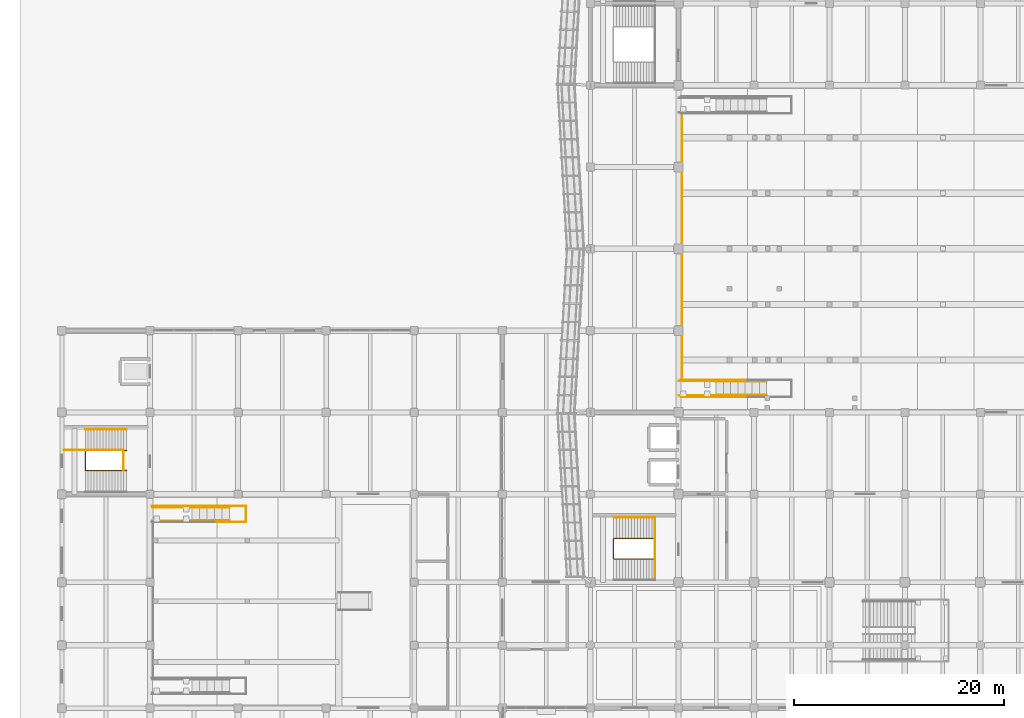
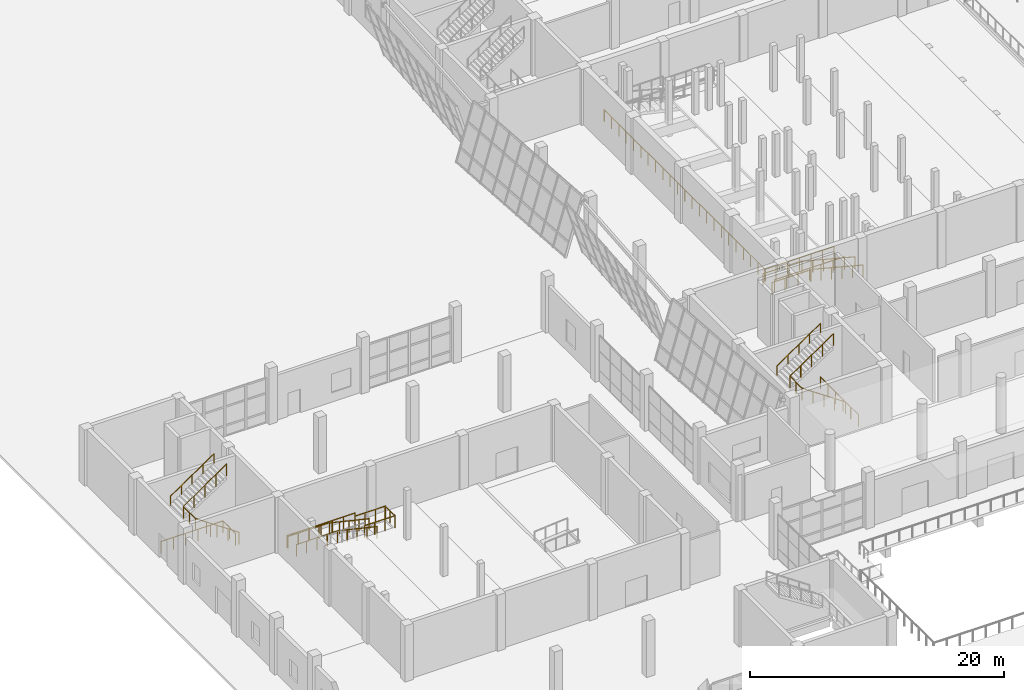
# One storey, part 72 of 78: 17 railings.
"""IFC4 building model written with IfcOpenShell, lengths in metres."""

from ifc_helpers import new_model, si_unit, direction, frame, origin, origin_2d, place, context, subcontext, project, spatial, circle, extrude, material, type_object, element, save


model = new_model("IFC4")

# Units and contexts
model_context = context("Model", 3, precision=1e-05, world=origin(), true_north=direction((0.0, 1.0)))
body_context = subcontext(model_context, "Body", "Model", "MODEL_VIEW")
ifc_project = project(units=[si_unit("LENGTHUNIT", "METRE"), si_unit("AREAUNIT", "SQUARE_METRE"), si_unit("VOLUMEUNIT", "CUBIC_METRE"), si_unit("PLANEANGLEUNIT", "RADIAN"), si_unit("MASSUNIT", "GRAM", prefix="KILO")], contexts=[model_context])

# Site, building, storey
site_placement = place(None, origin())
site = spatial("IfcSite", under=ifc_project, at=site_placement, CompositionType="ELEMENT")
building_placement = place(site_placement, origin())
building = spatial("IfcBuilding", under=site, at=building_placement, Name="Pellamere Symphony Hall", CompositionType="ELEMENT")
storey_placement = place(building_placement, origin())
storey = spatial("IfcBuildingStorey", under=building, at=storey_placement, Name="L00", CompositionType="ELEMENT", Elevation=0.0)

# Railings
ifc_material_1 = material(Name="Architectural Bronze-Anodised Aluminium Balustrade", Category="aluminium")
railing_type_1 = type_object("IfcRailingType", Name="Balustrade BL-02 H1150 Architectural", PredefinedType="BALUSTRADE", material=ifc_material_1)
railing_1_placement = place(storey_placement, frame((59.1201171875, 49.300048828125, 1.5)))
element("IfcRailing", 1, at=railing_1_placement, inside=storey, type_object=railing_type_1, Name="Safety Guardrail BL-M-L00W", PredefinedType="BALUSTRADE", context=body_context, shape_type="SweptSolid", body=[
    extrude(circle(Radius=0.02392578125, at=origin_2d()), frame((0.0, 0.0, 1.1259765625), z_axis=(0.0, 1.0, 0.0), x_axis=(-1.0, 0.0, 0.0)), (0.0, 0.0, 1.0), 25.39990234375),
    extrude(circle(Radius=0.02099609375, at=origin_2d()), origin(), (0.0, 0.0, 1.0), 1.101806640625),
    extrude(circle(Radius=0.02099609375, at=origin_2d()), frame((0.0, 1.154541015625, 0.0)), (0.0, 0.0, 1.0), 1.101806640625),
    extrude(circle(Radius=0.02099609375, at=origin_2d()), frame((0.0, 2.30908203125, 0.0)), (0.0, 0.0, 1.0), 1.101806640625),
    extrude(circle(Radius=0.02099609375, at=origin_2d()), frame((0.0, 3.463623046875, 0.0)), (0.0, 0.0, 1.0), 1.101806640625),
    extrude(circle(Radius=0.02099609375, at=origin_2d()), frame((0.0, 4.6181640625, 0.0)), (0.0, 0.0, 1.0), 1.101806640625),
    extrude(circle(Radius=0.02099609375, at=origin_2d()), frame((0.0, 5.772705078125, 0.0)), (0.0, 0.0, 1.0), 1.101806640625),
    extrude(circle(Radius=0.02099609375, at=origin_2d()), frame((0.0, 6.92724609375, 0.0)), (0.0, 0.0, 1.0), 1.101806640625),
    extrude(circle(Radius=0.02099609375, at=origin_2d()), frame((0.0, 8.081787109375, 0.0)), (0.0, 0.0, 1.0), 1.101806640625),
    extrude(circle(Radius=0.02099609375, at=origin_2d()), frame((0.0, 9.236328125, 0.0)), (0.0, 0.0, 1.0), 1.101806640625),
    extrude(circle(Radius=0.02099609375, at=origin_2d()), frame((0.0, 10.390869140625, 0.0)), (0.0, 0.0, 1.0), 1.101806640625),
    extrude(circle(Radius=0.02099609375, at=origin_2d()), frame((0.0, 11.54541015625, 0.0)), (0.0, 0.0, 1.0), 1.101806640625),
    extrude(circle(Radius=0.02099609375, at=origin_2d()), frame((0.0, 12.699951171875, 0.0)), (0.0, 0.0, 1.0), 1.101806640625),
    extrude(circle(Radius=0.02099609375, at=origin_2d()), frame((0.0, 13.8544921875, 0.0)), (0.0, 0.0, 1.0), 1.101806640625),
    extrude(circle(Radius=0.02099609375, at=origin_2d()), frame((0.0, 15.009033203125, 0.0)), (0.0, 0.0, 1.0), 1.101806640625),
    extrude(circle(Radius=0.02099609375, at=origin_2d()), frame((0.0, 16.16357421875, 0.0)), (0.0, 0.0, 1.0), 1.101806640625),
    extrude(circle(Radius=0.02099609375, at=origin_2d()), frame((0.0, 17.318115234375, 0.0)), (0.0, 0.0, 1.0), 1.101806640625),
    extrude(circle(Radius=0.02099609375, at=origin_2d()), frame((0.0, 18.47265625, 0.0)), (0.0, 0.0, 1.0), 1.101806640625),
    extrude(circle(Radius=0.02099609375, at=origin_2d()), frame((0.0, 19.627197265625, 0.0)), (0.0, 0.0, 1.0), 1.101806640625),
    extrude(circle(Radius=0.02099609375, at=origin_2d()), frame((0.0, 20.78173828125, 0.0)), (0.0, 0.0, 1.0), 1.101806640625),
    extrude(circle(Radius=0.02099609375, at=origin_2d()), frame((0.0, 21.936279296875, 0.0)), (0.0, 0.0, 1.0), 1.101806640625),
    extrude(circle(Radius=0.02099609375, at=origin_2d()), frame((0.0, 23.0908203125, 0.0)), (0.0, 0.0, 1.0), 1.101806640625),
    extrude(circle(Radius=0.02099609375, at=origin_2d()), frame((0.0, 24.245361328125, 0.0)), (0.0, 0.0, 1.0), 1.101806640625),
    extrude(circle(Radius=0.02099609375, at=origin_2d()), frame((0.0, 25.39990234375, 0.0)), (0.0, 0.0, 1.0), 1.101806640625),
])
ifc_material_2 = material(Name="Painted Steel CSA G40.21 350W", Category="steel")
railing_type_2 = type_object("IfcRailingType", Name="Guardrail GR-02 H1150 Painted", PredefinedType="GUARDRAIL", material=ifc_material_2)
railing_2_placement = place(storey_placement, frame((56.574951171875, 32.239990234375, 0.0)))
element("IfcRailing", 2, at=railing_2_placement, inside=storey, type_object=railing_type_2, Name="Stair ST01-L00 Continuous Well Guardrail (L00)", PredefinedType="GUARDRAIL", context=body_context, shape_type="SweptSolid", body=[
    extrude(circle(Radius=0.02392578125, at=origin_2d()), frame((0.0, 0.0, 1.1259765625), z_axis=(-0.825565005729, 0.0, 0.564307027527), x_axis=(0.0, -1.0, 0.0)), (0.0, 0.0, 1.0), 4.784423828125),
    extrude(circle(Radius=0.02392578125, at=origin_2d()), frame((-3.949951171875, 0.0, 3.82568359375), z_axis=(0.0, 1.0, 0.0), x_axis=(-1.0, 0.0, 0.0)), (0.0, 0.0, 1.0), 1.919921875),
    extrude(circle(Radius=0.02392578125, at=origin_2d()), frame((-3.949951171875, 1.919921875, 3.82568359375), z_axis=(0.825565005729, 0.0, 0.564307027527), x_axis=(0.0, 1.0, 0.0)), (0.0, 0.0, 1.0), 4.784423828125),
    extrude(circle(Radius=0.02099609375, at=origin_2d()), origin(), (0.0, 0.0, 1.0), 1.101806640625),
    extrude(circle(Radius=0.02099609375, at=origin_2d()), frame((-0.987548828125, 0.0, 0.675048828125)), (0.0, 0.0, 1.0), 1.101806640625),
    extrude(circle(Radius=0.02099609375, at=origin_2d()), frame((-1.97509765625, 0.0, 1.35009765625)), (0.0, 0.0, 1.0), 1.101806640625),
    extrude(circle(Radius=0.02099609375, at=origin_2d()), frame((-2.96240234375, 0.0, 2.02490234375)), (0.0, 0.0, 1.0), 1.101806640625),
    extrude(circle(Radius=0.02099609375, at=origin_2d()), frame((-3.949951171875, 0.0, 2.699951171875)), (0.0, 0.0, 1.0), 1.101806640625),
    extrude(circle(Radius=0.02099609375, at=origin_2d()), frame((-3.949951171875, 0.9599609375, 2.699951171875)), (0.0, 0.0, 1.0), 1.101806640625),
    extrude(circle(Radius=0.02099609375, at=origin_2d()), frame((-3.949951171875, 1.919921875, 2.699951171875)), (0.0, 0.0, 1.0), 1.101806640625),
    extrude(circle(Radius=0.02099609375, at=origin_2d()), frame((-2.96240234375, 1.919921875, 3.375)), (0.0, 0.0, 1.0), 1.101806640625),
    extrude(circle(Radius=0.02099609375, at=origin_2d()), frame((-1.97509765625, 1.919921875, 4.0498046875)), (0.0, 0.0, 1.0), 1.101806640625),
    extrude(circle(Radius=0.02099609375, at=origin_2d()), frame((-0.987548828125, 1.919921875, 4.724853515625)), (0.0, 0.0, 1.0), 1.101806640625),
    extrude(circle(Radius=0.02099609375, at=origin_2d()), frame((0.0, 1.919921875, 5.39990234375)), (0.0, 0.0, 1.0), 1.101806640625),
])
railing_3_placement = place(storey_placement, frame((56.574951171875, 30.2099609375, 0.0)))
element("IfcRailing", 3, at=railing_3_placement, inside=storey, type_object=railing_type_2, Name="Stair ST01-L00 Landing Well Slot Guard (L00)", PredefinedType="GUARDRAIL", context=body_context, shape_type="SweptSolid", body=[
    extrude(circle(Radius=0.02392578125, at=origin_2d()), frame((0.0, 0.0, 1.1259765625), z_axis=(0.0, 1.0, 0.0), x_axis=(-1.0, 0.0, 0.0)), (0.0, 0.0, 1.0), 5.97998046875),
    extrude(circle(Radius=0.02099609375, at=origin_2d()), origin(), (0.0, 0.0, 1.0), 1.101806640625),
    extrude(circle(Radius=0.02099609375, at=origin_2d()), frame((0.0, 1.196044921875, 0.0)), (0.0, 0.0, 1.0), 1.101806640625),
    extrude(circle(Radius=0.02099609375, at=origin_2d()), frame((0.0, 2.39208984375, 0.0)), (0.0, 0.0, 1.0), 1.101806640625),
    extrude(circle(Radius=0.02099609375, at=origin_2d()), frame((0.0, 3.587890625, 0.0)), (0.0, 0.0, 1.0), 1.101806640625),
    extrude(circle(Radius=0.02099609375, at=origin_2d()), frame((0.0, 4.783935546875, 0.0)), (0.0, 0.0, 1.0), 1.101806640625),
    extrude(circle(Radius=0.02099609375, at=origin_2d()), frame((0.0, 5.97998046875, 0.0)), (0.0, 0.0, 1.0), 1.101806640625),
])
railing_4_placement = place(storey_placement, frame((6.175048828125, 40.639892578125, 0.0)))
element("IfcRailing", 4, at=railing_4_placement, inside=storey, type_object=railing_type_2, Name="Stair ST03-L00 Continuous Well Guardrail (L00)", PredefinedType="GUARDRAIL", context=body_context, shape_type="SweptSolid", body=[
    extrude(circle(Radius=0.02392578125, at=origin_2d()), frame((0.0, 0.0, 1.1259765625), z_axis=(-0.825565005729, 0.0, 0.564307027527), x_axis=(0.0, -1.0, 0.0)), (0.0, 0.0, 1.0), 4.784423828125),
    extrude(circle(Radius=0.02392578125, at=origin_2d()), frame((-3.949951171875, 0.0, 3.82568359375), z_axis=(0.0, 1.0, 0.0), x_axis=(-1.0, 0.0, 0.0)), (0.0, 0.0, 1.0), 1.920166015625),
    extrude(circle(Radius=0.02392578125, at=origin_2d()), frame((-3.949951171875, 1.920166015625, 3.82568359375), z_axis=(0.825565005729, 0.0, 0.564307027527), x_axis=(0.0, 1.0, 0.0)), (0.0, 0.0, 1.0), 4.784423828125),
    extrude(circle(Radius=0.02099609375, at=origin_2d()), origin(), (0.0, 0.0, 1.0), 1.101806640625),
    extrude(circle(Radius=0.02099609375, at=origin_2d()), frame((-0.987548828125, 0.0, 0.675048828125)), (0.0, 0.0, 1.0), 1.101806640625),
    extrude(circle(Radius=0.02099609375, at=origin_2d()), frame((-1.97509765625, 0.0, 1.35009765625)), (0.0, 0.0, 1.0), 1.101806640625),
    extrude(circle(Radius=0.02099609375, at=origin_2d()), frame((-2.96240234375, 0.0, 2.02490234375)), (0.0, 0.0, 1.0), 1.101806640625),
    extrude(circle(Radius=0.02099609375, at=origin_2d()), frame((-3.949951171875, 0.0, 2.699951171875)), (0.0, 0.0, 1.0), 1.101806640625),
    extrude(circle(Radius=0.02099609375, at=origin_2d()), frame((-3.949951171875, 0.9599609375, 2.699951171875)), (0.0, 0.0, 1.0), 1.101806640625),
    extrude(circle(Radius=0.02099609375, at=origin_2d()), frame((-3.949951171875, 1.920166015625, 2.699951171875)), (0.0, 0.0, 1.0), 1.101806640625),
    extrude(circle(Radius=0.02099609375, at=origin_2d()), frame((-2.96240234375, 1.920166015625, 3.375)), (0.0, 0.0, 1.0), 1.101806640625),
    extrude(circle(Radius=0.02099609375, at=origin_2d()), frame((-1.97509765625, 1.920166015625, 4.0498046875)), (0.0, 0.0, 1.0), 1.101806640625),
    extrude(circle(Radius=0.02099609375, at=origin_2d()), frame((-0.987548828125, 1.920166015625, 4.724853515625)), (0.0, 0.0, 1.0), 1.101806640625),
    extrude(circle(Radius=0.02099609375, at=origin_2d()), frame((0.0, 1.920166015625, 5.39990234375)), (0.0, 0.0, 1.0), 1.101806640625),
])
railing_5_placement = place(storey_placement, frame((5.875, 40.639892578125, 0.0)))
element("IfcRailing", 5, at=railing_5_placement, inside=storey, type_object=railing_type_2, Name="Stair ST03-L00 Landing Well Slot Guard (L00)", PredefinedType="GUARDRAIL", context=body_context, shape_type="SweptSolid", body=[
    extrude(circle(Radius=0.02392578125, at=origin_2d()), frame((0.0, 0.0, 1.1259765625), z_axis=(0.0, 1.0, 0.0), x_axis=(-1.0, 0.0, 0.0)), (0.0, 0.0, 1.0), 1.97021484375),
    extrude(circle(Radius=0.02392578125, at=origin_2d()), frame((0.0, 1.97021484375, 1.1259765625), z_axis=(-1.0, 0.0, 0.0), x_axis=(0.0, -1.0, 0.0)), (0.0, 0.0, 1.0), 5.6650390625),
    extrude(circle(Radius=0.02099609375, at=origin_2d()), origin(), (0.0, 0.0, 1.0), 1.101806640625),
    extrude(circle(Radius=0.02099609375, at=origin_2d()), frame((0.0, 0.985107421875, 0.0)), (0.0, 0.0, 1.0), 1.101806640625),
    extrude(circle(Radius=0.02099609375, at=origin_2d()), frame((0.0, 1.97021484375, 0.0)), (0.0, 0.0, 1.0), 1.101806640625),
    extrude(circle(Radius=0.02099609375, at=origin_2d()), frame((-1.133056640625, 1.97021484375, 0.0)), (0.0, 0.0, 1.0), 1.101806640625),
    extrude(circle(Radius=0.02099609375, at=origin_2d()), frame((-2.26611328125, 1.97021484375, 0.0)), (0.0, 0.0, 1.0), 1.101806640625),
    extrude(circle(Radius=0.02099609375, at=origin_2d()), frame((-3.39892578125, 1.97021484375, 0.0)), (0.0, 0.0, 1.0), 1.101806640625),
    extrude(circle(Radius=0.02099609375, at=origin_2d()), frame((-4.531982421875, 1.97021484375, 0.0)), (0.0, 0.0, 1.0), 1.101806640625),
    extrude(circle(Radius=0.02099609375, at=origin_2d()), frame((-5.6650390625, 1.97021484375, 0.0)), (0.0, 0.0, 1.0), 1.101806640625),
])
railing_6_placement = place(storey_placement, frame((67.199951171875, 47.85009765625, 0.0)))
element("IfcRailing", 6, at=railing_6_placement, inside=storey, type_object=railing_type_2, Name="Vomitory VOM-01 South Guardrail", PredefinedType="GUARDRAIL", context=body_context, shape_type="SweptSolid", body=[
    extrude(circle(Radius=0.02392578125, at=origin_2d()), frame((0.0, 0.0, 1.1259765625), z_axis=(-0.967724859719, 0.0, 0.252009118649), x_axis=(0.0, -1.0, 0.0)), (0.0, 0.0, 1.0), 4.960205078125),
    extrude(circle(Radius=0.02392578125, at=origin_2d()), frame((-4.800048828125, 0.0, 2.3759765625), z_axis=(0.0, -1.0, 0.0), x_axis=(1.0, 0.0, 0.0)), (0.0, 0.0, 1.0), 0.050048828125),
    extrude(circle(Radius=0.02392578125, at=origin_2d()), frame((-4.800048828125, -0.050048828125, 2.3759765625), z_axis=(-1.0, 0.0, 0.0), x_axis=(0.0, -1.0, 0.0)), (0.0, 0.0, 1.0), 3.5498046875),
    extrude(circle(Radius=0.02099609375, at=origin_2d()), origin(), (0.0, 0.0, 1.0), 1.101806640625),
    extrude(circle(Radius=0.02099609375, at=origin_2d()), frame((-0.9599609375, 0.0, 0.25)), (0.0, 0.0, 1.0), 1.101806640625),
    extrude(circle(Radius=0.02099609375, at=origin_2d()), frame((-1.919921875, 0.0, 0.5)), (0.0, 0.0, 1.0), 1.101806640625),
    extrude(circle(Radius=0.02099609375, at=origin_2d()), frame((-2.880126953125, 0.0, 0.75)), (0.0, 0.0, 1.0), 1.101806640625),
    extrude(circle(Radius=0.02099609375, at=origin_2d()), frame((-3.840087890625, 0.0, 1.0)), (0.0, 0.0, 1.0), 1.101806640625),
    extrude(circle(Radius=0.02099609375, at=origin_2d()), frame((-4.800048828125, 0.0, 1.25)), (0.0, 0.0, 1.0), 1.101806640625),
    extrude(circle(Radius=0.02099609375, at=origin_2d()), frame((-4.800048828125, -0.050048828125, 1.25)), (0.0, 0.0, 1.0), 1.101806640625),
    extrude(circle(Radius=0.02099609375, at=origin_2d()), frame((-5.9833984375, -0.050048828125, 1.25)), (0.0, 0.0, 1.0), 1.101806640625),
    extrude(circle(Radius=0.02099609375, at=origin_2d()), frame((-7.16650390625, -0.050048828125, 1.25)), (0.0, 0.0, 1.0), 1.101806640625),
    extrude(circle(Radius=0.02099609375, at=origin_2d()), frame((-8.349853515625, -0.050048828125, 1.25)), (0.0, 0.0, 1.0), 1.101806640625),
])
railing_7_placement = place(storey_placement, frame((67.199951171875, 49.14990234375, 0.0)))
element("IfcRailing", 7, at=railing_7_placement, inside=storey, type_object=railing_type_2, Name="Vomitory VOM-01 North Guardrail", PredefinedType="GUARDRAIL", context=body_context, shape_type="SweptSolid", body=[
    extrude(circle(Radius=0.02392578125, at=origin_2d()), frame((0.0, 0.0, 1.1259765625), z_axis=(-0.967724859719, 0.0, 0.252009118649), x_axis=(0.0, -1.0, 0.0)), (0.0, 0.0, 1.0), 4.960205078125),
    extrude(circle(Radius=0.02392578125, at=origin_2d()), frame((-4.800048828125, 0.0, 2.3759765625), z_axis=(0.0, 1.0, 0.0), x_axis=(-1.0, 0.0, 0.0)), (0.0, 0.0, 1.0), 0.050048828125),
    extrude(circle(Radius=0.02392578125, at=origin_2d()), frame((-4.800048828125, 0.050048828125, 2.3759765625), z_axis=(-1.0, 0.0, 0.0), x_axis=(0.0, -1.0, 0.0)), (0.0, 0.0, 1.0), 3.5498046875),
    extrude(circle(Radius=0.02099609375, at=origin_2d()), origin(), (0.0, 0.0, 1.0), 1.101806640625),
    extrude(circle(Radius=0.02099609375, at=origin_2d()), frame((-0.9599609375, 0.0, 0.25)), (0.0, 0.0, 1.0), 1.101806640625),
    extrude(circle(Radius=0.02099609375, at=origin_2d()), frame((-1.919921875, 0.0, 0.5)), (0.0, 0.0, 1.0), 1.101806640625),
    extrude(circle(Radius=0.02099609375, at=origin_2d()), frame((-2.880126953125, 0.0, 0.75)), (0.0, 0.0, 1.0), 1.101806640625),
    extrude(circle(Radius=0.02099609375, at=origin_2d()), frame((-3.840087890625, 0.0, 1.0)), (0.0, 0.0, 1.0), 1.101806640625),
    extrude(circle(Radius=0.02099609375, at=origin_2d()), frame((-4.800048828125, 0.0, 1.25)), (0.0, 0.0, 1.0), 1.101806640625),
    extrude(circle(Radius=0.02099609375, at=origin_2d()), frame((-4.800048828125, 0.050048828125, 1.25)), (0.0, 0.0, 1.0), 1.101806640625),
    extrude(circle(Radius=0.02099609375, at=origin_2d()), frame((-5.9833984375, 0.050048828125, 1.25)), (0.0, 0.0, 1.0), 1.101806640625),
    extrude(circle(Radius=0.02099609375, at=origin_2d()), frame((-7.16650390625, 0.050048828125, 1.25)), (0.0, 0.0, 1.0), 1.101806640625),
    extrude(circle(Radius=0.02099609375, at=origin_2d()), frame((-8.349853515625, 0.050048828125, 1.25)), (0.0, 0.0, 1.0), 1.101806640625),
])
railing_8_placement = place(storey_placement, frame((16.0, 35.875, 0.0)))
element("IfcRailing", 8, at=railing_8_placement, inside=storey, type_object=railing_type_2, Name="Vomitory VOM-06 South Guardrail", PredefinedType="GUARDRAIL", context=body_context, shape_type="SweptSolid", body=[
    extrude(circle(Radius=0.02392578125, at=origin_2d()), frame((0.0, 0.0, 1.1259765625), z_axis=(-0.973235091466, 0.0, 0.229811785466), x_axis=(0.0, -1.0, 0.0)), (0.0, 0.0, 1.0), 3.69921875),
    extrude(circle(Radius=0.02392578125, at=origin_2d()), frame((-3.60009765625, 0.0, 1.97607421875), z_axis=(0.0, -1.0, 0.0), x_axis=(1.0, 0.0, 0.0)), (0.0, 0.0, 1.0), 0.02490234375),
    extrude(circle(Radius=0.02392578125, at=origin_2d()), frame((-3.60009765625, -0.02490234375, 1.97607421875), z_axis=(-1.0, 0.0, 0.0), x_axis=(0.0, -1.0, 0.0)), (0.0, 0.0, 1.0), 3.75),
    extrude(circle(Radius=0.02099609375, at=origin_2d()), origin(), (0.0, 0.0, 1.0), 1.101806640625),
    extrude(circle(Radius=0.02099609375, at=origin_2d()), frame((-0.89990234375, 0.0, 0.21240234375)), (0.0, 0.0, 1.0), 1.101806640625),
    extrude(circle(Radius=0.02099609375, at=origin_2d()), frame((-1.800048828125, 0.0, 0.425048828125)), (0.0, 0.0, 1.0), 1.101806640625),
    extrude(circle(Radius=0.02099609375, at=origin_2d()), frame((-2.7001953125, 0.0, 0.6376953125)), (0.0, 0.0, 1.0), 1.101806640625),
    extrude(circle(Radius=0.02099609375, at=origin_2d()), frame((-3.60009765625, 0.0, 0.85009765625)), (0.0, 0.0, 1.0), 1.101806640625),
    extrude(circle(Radius=0.02099609375, at=origin_2d()), frame((-3.60009765625, -0.02490234375, 0.85009765625)), (0.0, 0.0, 1.0), 1.101806640625),
    extrude(circle(Radius=0.02099609375, at=origin_2d()), frame((-4.53759765625, -0.02490234375, 0.85009765625)), (0.0, 0.0, 1.0), 1.101806640625),
    extrude(circle(Radius=0.02099609375, at=origin_2d()), frame((-5.47509765625, -0.02490234375, 0.85009765625)), (0.0, 0.0, 1.0), 1.101806640625),
    extrude(circle(Radius=0.02099609375, at=origin_2d()), frame((-6.41259765625, -0.02490234375, 0.85009765625)), (0.0, 0.0, 1.0), 1.101806640625),
    extrude(circle(Radius=0.02099609375, at=origin_2d()), frame((-7.35009765625, -0.02490234375, 0.85009765625)), (0.0, 0.0, 1.0), 1.101806640625),
])
railing_9_placement = place(storey_placement, frame((16.0, 37.125, 0.0)))
element("IfcRailing", 9, at=railing_9_placement, inside=storey, type_object=railing_type_2, Name="Vomitory VOM-06 North Guardrail", PredefinedType="GUARDRAIL", context=body_context, shape_type="SweptSolid", body=[
    extrude(circle(Radius=0.02392578125, at=origin_2d()), frame((0.0, 0.0, 1.1259765625), z_axis=(-0.973235091466, 0.0, 0.229811785466), x_axis=(0.0, -1.0, 0.0)), (0.0, 0.0, 1.0), 3.69921875),
    extrude(circle(Radius=0.02392578125, at=origin_2d()), frame((-3.60009765625, 0.0, 1.97607421875), z_axis=(0.0, 1.0, 0.0), x_axis=(-1.0, 0.0, 0.0)), (0.0, 0.0, 1.0), 0.02490234375),
    extrude(circle(Radius=0.02392578125, at=origin_2d()), frame((-3.60009765625, 0.02490234375, 1.97607421875), z_axis=(-1.0, 0.0, 0.0), x_axis=(0.0, -1.0, 0.0)), (0.0, 0.0, 1.0), 3.75),
    extrude(circle(Radius=0.02099609375, at=origin_2d()), origin(), (0.0, 0.0, 1.0), 1.101806640625),
    extrude(circle(Radius=0.02099609375, at=origin_2d()), frame((-0.89990234375, 0.0, 0.21240234375)), (0.0, 0.0, 1.0), 1.101806640625),
    extrude(circle(Radius=0.02099609375, at=origin_2d()), frame((-1.800048828125, 0.0, 0.425048828125)), (0.0, 0.0, 1.0), 1.101806640625),
    extrude(circle(Radius=0.02099609375, at=origin_2d()), frame((-2.7001953125, 0.0, 0.6376953125)), (0.0, 0.0, 1.0), 1.101806640625),
    extrude(circle(Radius=0.02099609375, at=origin_2d()), frame((-3.60009765625, 0.0, 0.85009765625)), (0.0, 0.0, 1.0), 1.101806640625),
    extrude(circle(Radius=0.02099609375, at=origin_2d()), frame((-3.60009765625, 0.02490234375, 0.85009765625)), (0.0, 0.0, 1.0), 1.101806640625),
    extrude(circle(Radius=0.02099609375, at=origin_2d()), frame((-4.53759765625, 0.02490234375, 0.85009765625)), (0.0, 0.0, 1.0), 1.101806640625),
    extrude(circle(Radius=0.02099609375, at=origin_2d()), frame((-5.47509765625, 0.02490234375, 0.85009765625)), (0.0, 0.0, 1.0), 1.101806640625),
    extrude(circle(Radius=0.02099609375, at=origin_2d()), frame((-6.41259765625, 0.02490234375, 0.85009765625)), (0.0, 0.0, 1.0), 1.101806640625),
    extrude(circle(Radius=0.02099609375, at=origin_2d()), frame((-7.35009765625, 0.02490234375, 0.85009765625)), (0.0, 0.0, 1.0), 1.101806640625),
])
ifc_material_3 = material(Name="Laminated Safety Glass 21.5mm with Stainless Cap", Category="glass")
railing_type_3 = type_object("IfcRailingType", Name="Guardrail GR-03 H1180 Laminated", PredefinedType="GUARDRAIL", material=ifc_material_3)
for number, where, name in (
    (10, (59.050048828125, 47.68994140625, 1.5), "Vomitory Slot Bay 1 Balustrade VOM-01-1"),
    (11, (59.050048828125, 49.31005859375, 1.5), "Vomitory Slot Bay 1 Balustrade VOM-01-2"),
):
    element("IfcRailing", number, at=place(storey_placement, frame(where)), inside=storey, type_object=railing_type_3, Name=name, PredefinedType="GUARDRAIL", context=body_context, shape_type="SweptSolid", body=[
        extrude(circle(Radius=0.02392578125, at=origin_2d()), frame((0.0, 0.0, 1.15576171875), z_axis=(1.0, 0.0, 0.0), x_axis=(0.0, 1.0, 0.0)), (0.0, 0.0, 1.0), 6.349853515625),
        extrude(circle(Radius=0.02099609375, at=origin_2d()), origin(), (0.0, 0.0, 1.0), 1.1318359375),
        extrude(circle(Radius=0.02099609375, at=origin_2d()), frame((1.058349609375, 0.0, 0.0)), (0.0, 0.0, 1.0), 1.1318359375),
        extrude(circle(Radius=0.02099609375, at=origin_2d()), frame((2.11669921875, 0.0, 0.0)), (0.0, 0.0, 1.0), 1.1318359375),
        extrude(circle(Radius=0.02099609375, at=origin_2d()), frame((3.1748046875, 0.0, 0.0)), (0.0, 0.0, 1.0), 1.1318359375),
        extrude(circle(Radius=0.02099609375, at=origin_2d()), frame((4.233154296875, 0.0, 0.0)), (0.0, 0.0, 1.0), 1.1318359375),
        extrude(circle(Radius=0.02099609375, at=origin_2d()), frame((5.29150390625, 0.0, 0.0)), (0.0, 0.0, 1.0), 1.1318359375),
        extrude(circle(Radius=0.02099609375, at=origin_2d()), frame((6.349853515625, 0.0, 0.0)), (0.0, 0.0, 1.0), 1.1318359375),
    ])
railing_10_placement = place(storey_placement, frame((17.56005859375, 35.739990234375, 0.550048828125)))
element("IfcRailing", 12, at=railing_10_placement, inside=storey, type_object=railing_type_3, Name="Vomitory Slot East Edge Balustrade VOM-06", PredefinedType="GUARDRAIL", context=body_context, shape_type="SweptSolid", body=[
    extrude(circle(Radius=0.02392578125, at=origin_2d()), frame((0.0, 0.0, 1.15576171875), z_axis=(0.0, 1.0, 0.0), x_axis=(-1.0, 0.0, 0.0)), (0.0, 0.0, 1.0), 1.52001953125),
    extrude(circle(Radius=0.02099609375, at=origin_2d()), origin(), (0.0, 0.0, 1.0), 1.1318359375),
    extrude(circle(Radius=0.02099609375, at=origin_2d()), frame((0.0, 0.760009765625, 0.0)), (0.0, 0.0, 1.0), 1.1318359375),
    extrude(circle(Radius=0.02099609375, at=origin_2d()), frame((0.0, 1.52001953125, 0.0)), (0.0, 0.0, 1.0), 1.1318359375),
])
railing_11_placement = place(storey_placement, frame((14.800048828125, 35.739990234375, 0.550048828125)))
element("IfcRailing", 13, at=railing_11_placement, inside=storey, type_object=railing_type_3, Name="Vomitory Slot Bay 2 Balustrade VOM-06-1", PredefinedType="GUARDRAIL", context=body_context, shape_type="SweptSolid", body=[
    extrude(circle(Radius=0.02392578125, at=origin_2d()), frame((0.0, 0.0, 1.15576171875), z_axis=(1.0, 0.0, 0.0), x_axis=(0.0, 1.0, 0.0)), (0.0, 0.0, 1.0), 2.780029296875),
    extrude(circle(Radius=0.02099609375, at=origin_2d()), origin(), (0.0, 0.0, 1.0), 1.1318359375),
    extrude(circle(Radius=0.02099609375, at=origin_2d()), frame((0.9267578125, 0.0, 0.0)), (0.0, 0.0, 1.0), 1.1318359375),
    extrude(circle(Radius=0.02099609375, at=origin_2d()), frame((1.853271484375, 0.0, 0.0)), (0.0, 0.0, 1.0), 1.1318359375),
    extrude(circle(Radius=0.02099609375, at=origin_2d()), frame((2.780029296875, 0.0, 0.0)), (0.0, 0.0, 1.0), 1.1318359375),
])
railing_12_placement = place(storey_placement, frame((8.60009765625, 37.260009765625, 0.85009765625)))
element("IfcRailing", 14, at=railing_12_placement, inside=storey, type_object=railing_type_3, Name="Vomitory Slot Bay 1 Balustrade VOM-06-2", PredefinedType="GUARDRAIL", context=body_context, shape_type="SweptSolid", body=[
    extrude(circle(Radius=0.02392578125, at=origin_2d()), frame((0.0, 0.0, 1.15576171875), z_axis=(1.0, 0.0, 0.0), x_axis=(0.0, 1.0, 0.0)), (0.0, 0.0, 1.0), 6.199951171875),
    extrude(circle(Radius=0.02099609375, at=origin_2d()), origin(), (0.0, 0.0, 1.0), 1.1318359375),
    extrude(circle(Radius=0.02099609375, at=origin_2d()), frame((1.033203125, 0.0, 0.0)), (0.0, 0.0, 1.0), 1.1318359375),
    extrude(circle(Radius=0.02099609375, at=origin_2d()), frame((2.066650390625, 0.0, 0.0)), (0.0, 0.0, 1.0), 1.1318359375),
    extrude(circle(Radius=0.02099609375, at=origin_2d()), frame((3.10009765625, 0.0, 0.0)), (0.0, 0.0, 1.0), 1.1318359375),
    extrude(circle(Radius=0.02099609375, at=origin_2d()), frame((4.13330078125, 0.0, 0.0)), (0.0, 0.0, 1.0), 1.1318359375),
    extrude(circle(Radius=0.02099609375, at=origin_2d()), frame((5.16650390625, 0.0, 0.0)), (0.0, 0.0, 1.0), 1.1318359375),
    extrude(circle(Radius=0.02099609375, at=origin_2d()), frame((6.199951171875, 0.0, 0.0)), (0.0, 0.0, 1.0), 1.1318359375),
])
railing_13_placement = place(storey_placement, frame((14.800048828125, 37.260009765625, 0.550048828125)))
element("IfcRailing", 15, at=railing_13_placement, inside=storey, type_object=railing_type_3, Name="Vomitory Slot Bay 2 Balustrade VOM-06-2", PredefinedType="GUARDRAIL", context=body_context, shape_type="SweptSolid", body=[
    extrude(circle(Radius=0.02392578125, at=origin_2d()), frame((0.0, 0.0, 1.15576171875), z_axis=(1.0, 0.0, 0.0), x_axis=(0.0, 1.0, 0.0)), (0.0, 0.0, 1.0), 2.780029296875),
    extrude(circle(Radius=0.02099609375, at=origin_2d()), origin(), (0.0, 0.0, 1.0), 1.1318359375),
    extrude(circle(Radius=0.02099609375, at=origin_2d()), frame((0.9267578125, 0.0, 0.0)), (0.0, 0.0, 1.0), 1.1318359375),
    extrude(circle(Radius=0.02099609375, at=origin_2d()), frame((1.853271484375, 0.0, 0.0)), (0.0, 0.0, 1.0), 1.1318359375),
    extrude(circle(Radius=0.02099609375, at=origin_2d()), frame((2.780029296875, 0.0, 0.0)), (0.0, 0.0, 1.0), 1.1318359375),
])
ifc_material_4 = material(Name="Stainless Steel AISI 316", Category="steel")
railing_type_4 = type_object("IfcRailingType", Name="Handrail HR-01 H920 Stainless", PredefinedType="HANDRAIL", material=ifc_material_4)
for number, where, name in (
    (16, (52.625, 36.179931640625, 2.699951171875), "Stair ST01-L00 Upper Wall Handrail (L00)"),
    (17, (2.22509765625, 44.580078125, 2.699951171875), "Stair ST03-L00 Upper Wall Handrail (L00)"),
):
    element("IfcRailing", number, at=place(storey_placement, frame(where)), inside=storey, type_object=railing_type_4, Name=name, PredefinedType="HANDRAIL", context=body_context, shape_type="SweptSolid", body=[
        extrude(circle(Radius=0.02392578125, at=origin_2d()), frame((0.0, 0.0, 0.89599609375), z_axis=(0.825565005729, 0.0, 0.564307027527), x_axis=(0.0, 1.0, 0.0)), (0.0, 0.0, 1.0), 4.784423828125),
        extrude(circle(Radius=0.02099609375, at=origin_2d()), origin(), (0.0, 0.0, 1.0), 0.871826171875),
        extrude(circle(Radius=0.02099609375, at=origin_2d()), frame((0.987548828125, 0.0, 0.675048828125)), (0.0, 0.0, 1.0), 0.871826171875),
        extrude(circle(Radius=0.02099609375, at=origin_2d()), frame((1.97509765625, 0.0, 1.35009765625)), (0.0, 0.0, 1.0), 0.871826171875),
        extrude(circle(Radius=0.02099609375, at=origin_2d()), frame((2.96240234375, 0.0, 2.02490234375)), (0.0, 0.0, 1.0), 0.871826171875),
        extrude(circle(Radius=0.02099609375, at=origin_2d()), frame((3.949951171875, 0.0, 2.699951171875)), (0.0, 0.0, 1.0), 0.871826171875),
    ])

save(model, "model.ifc")
